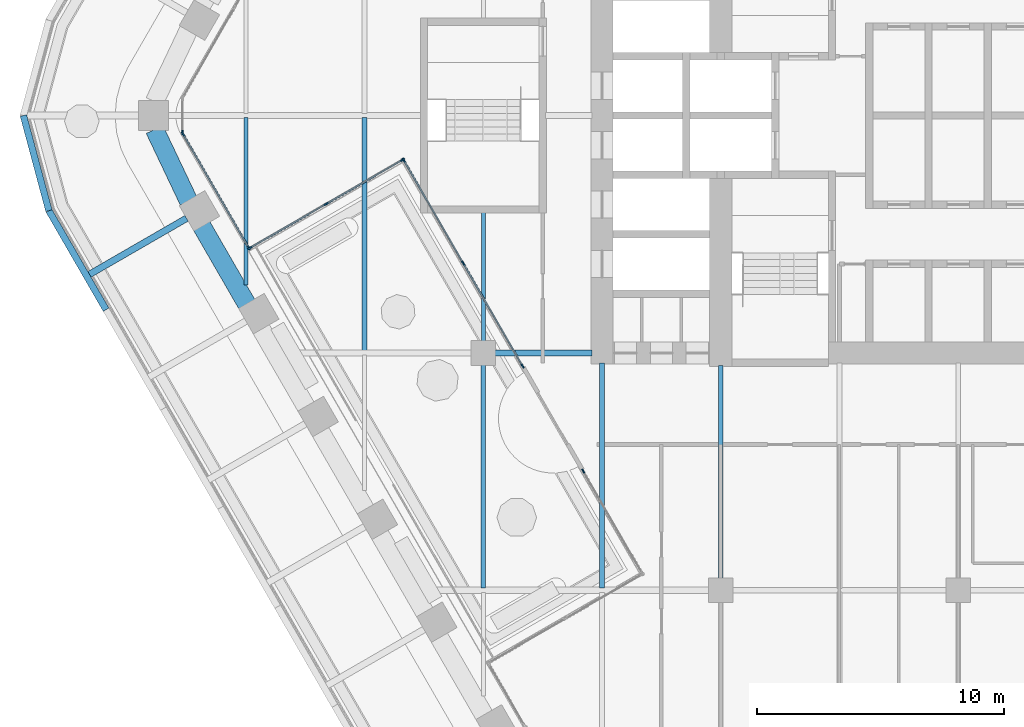
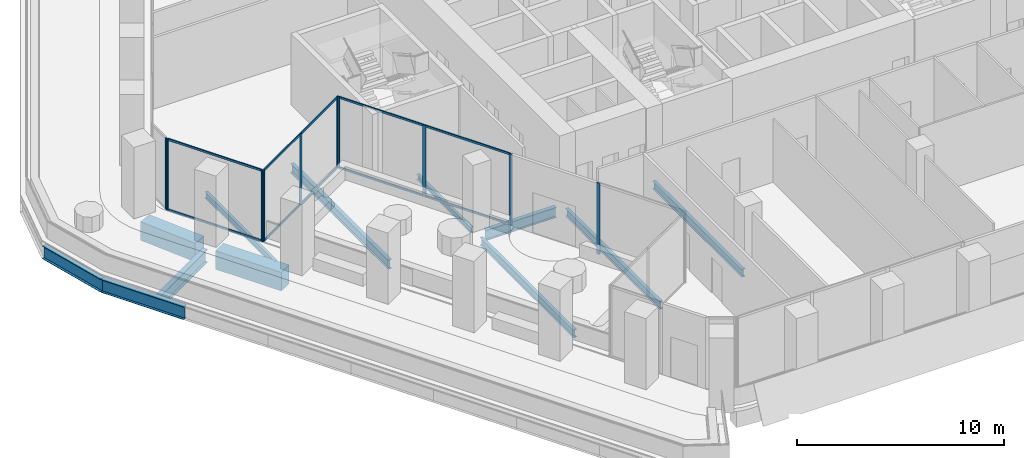
# One storey, part 3 of 27: 20 members, 12 beams, 5 elements without a shape of their own.
"""IFC4 building model written with IfcOpenShell, lengths in metres."""

from ifc_helpers import new_model, si_unit, direction, frame, origin, origin_2d, place, context, subcontext, project, spatial, rectangle, i_section, extrude, material, material_profile, profile_set, type_object, element, aggregate, save


model = new_model("IFC4")

# Units and contexts
model_context = context("Model", 3, precision=1e-05, world=origin(), true_north=direction((0.0, 1.0)))
body_context = subcontext(model_context, "Body", "Model", "MODEL_VIEW")
ifc_project = project(units=[si_unit("LENGTHUNIT", "METRE"), si_unit("AREAUNIT", "SQUARE_METRE"), si_unit("VOLUMEUNIT", "CUBIC_METRE"), si_unit("PLANEANGLEUNIT", "RADIAN"), si_unit("MASSUNIT", "GRAM", prefix="KILO")], contexts=[model_context])

# Site, building, storey
site_placement = place(None, origin())
site = spatial("IfcSite", under=ifc_project, at=site_placement, CompositionType="ELEMENT")
building_placement = place(site_placement, origin())
building = spatial("IfcBuilding", under=site, at=building_placement, Name="Kolab Exchange Tower", CompositionType="ELEMENT")
storey_placement = place(building_placement, frame((0.0, 0.0, 122.89990234375)))
storey = spatial("IfcBuildingStorey", under=building, at=storey_placement, Name="L24", CompositionType="ELEMENT", Elevation=122.89990234375)

# Beams
ifc_material_1 = material(Name="Steel S355", Category="steel")
ifc_material_profile_1 = material_profile(ifc_material_1, i_section(OverallWidth=0.1650390625, OverallDepth=0.31005859375, WebThickness=0.005859375, FlangeThickness=0.009765625, at=origin_2d()), Name="W310X39")
ifc_profile_set_1 = profile_set([ifc_material_profile_1], Name="Steel S355")
beam_type_1 = type_object("IfcBeamType", Name="FLOOR BEAM W310X39", PredefinedType="BEAM", material=ifc_profile_set_1)
beam_1_placement = place(storey_placement, frame((-19.199951171875, -9.139892578125, -0.35498046875), z_axis=(0.0, 1.0, 0.0), x_axis=(-1.0, 0.0, 0.0)))
element("IfcBeam", 1, at=beam_1_placement, inside=storey, type_object=beam_type_1, Name="beam/L24/fr/008", PredefinedType="BEAM", context=body_context, shape_type="SweptSolid", body=[
    extrude(i_section(OverallWidth=0.1650390625, OverallDepth=0.31005859375, WebThickness=0.005859375, FlangeThickness=0.009765625, at=origin_2d()), origin(), (0.0, 0.0, 1.0), 5.22998046875),
])
ifc_material_profile_2 = material_profile(ifc_material_1, i_section(OverallWidth=0.1708984375, OverallDepth=0.35498046875, WebThickness=0.007080078125, FlangeThickness=0.01171875, at=origin_2d()), Name="W360X51")
ifc_profile_set_2 = profile_set([ifc_material_profile_2], Name="Steel S355")
beam_type_2 = type_object("IfcBeamType", Name="FLOOR BEAM W360X51", PredefinedType="BEAM", material=ifc_profile_set_2)
beam_2_placement = place(storey_placement, frame((-28.800048828125, -6.853759765625, -0.37744140625), z_axis=(0.0, 1.0, 0.0), x_axis=(-1.0, 0.0, 0.0)))
element("IfcBeam", 2, at=beam_2_placement, inside=storey, type_object=beam_type_2, Name="beam/L24/fr/000", PredefinedType="BEAM", context=body_context, shape_type="SweptSolid", body=[
    extrude(i_section(OverallWidth=0.1708984375, OverallDepth=0.35498046875, WebThickness=0.007080078125, FlangeThickness=0.01171875, at=origin_2d()), origin(), (0.0, 0.0, 1.0), 6.766845703125),
])
ifc_material_profile_3 = material_profile(ifc_material_1, i_section(OverallWidth=0.18994140625, OverallDepth=0.45703125, WebThickness=0.009033203125, FlangeThickness=0.014404296875, at=origin_2d()), Name="W460X74")
ifc_profile_set_3 = profile_set([ifc_material_profile_3], Name="Steel S355")
beam_type_3 = type_object("IfcBeamType", Name="FLOOR BEAM W460X74", PredefinedType="BEAM", material=ifc_profile_set_3)
beam_3_placement = place(storey_placement, frame((-19.199951171875, -19.1064453125, -0.428466796875), z_axis=(0.0, 1.0, 0.0), x_axis=(-1.0, 0.0, 0.0)))
element("IfcBeam", 3, at=beam_3_placement, inside=storey, type_object=beam_type_3, Name="beam/L24/fr/007", PredefinedType="BEAM", context=body_context, shape_type="SweptSolid", body=[
    extrude(i_section(OverallWidth=0.18994140625, OverallDepth=0.45703125, WebThickness=0.009033203125, FlangeThickness=0.014404296875, at=origin_2d()), origin(), (0.0, 0.0, 1.0), 9.04638671875),
])
beam_4_placement = place(storey_placement, frame((-14.39990234375, -19.1064453125, -0.428466796875), z_axis=(0.0, 1.0, 0.0), x_axis=(-1.0, 0.0, 0.0)))
element("IfcBeam", 4, at=beam_4_placement, inside=storey, type_object=beam_type_3, Name="beam/L24/fr/013", PredefinedType="BEAM", context=body_context, shape_type="SweptSolid", body=[
    extrude(i_section(OverallWidth=0.18994140625, OverallDepth=0.45703125, WebThickness=0.009033203125, FlangeThickness=0.014404296875, at=origin_2d()), origin(), (0.0, 0.0, 1.0), 9.096435546875),
])
beam_5_placement = place(storey_placement, frame((-9.60009765625, -18.739990234375, -0.428466796875), z_axis=(0.0, 1.0, 0.0), x_axis=(-1.0, 0.0, 0.0)))
element("IfcBeam", 5, at=beam_5_placement, inside=storey, type_object=beam_type_3, Name="beam/L24/fr/017", PredefinedType="BEAM", context=body_context, shape_type="SweptSolid", body=[
    extrude(i_section(OverallWidth=0.18994140625, OverallDepth=0.45703125, WebThickness=0.009033203125, FlangeThickness=0.014404296875, at=origin_2d()), origin(), (0.0, 0.0, 1.0), 8.6298828125),
])
ifc_material_profile_4 = material_profile(ifc_material_1, i_section(OverallWidth=0.208984375, OverallDepth=0.532958984375, WebThickness=0.01025390625, FlangeThickness=0.015625, at=origin_2d()), Name="W530X92")
ifc_profile_set_4 = profile_set([ifc_material_profile_4], Name="Steel S355")
beam_type_4 = type_object("IfcBeamType", Name="FLOOR BEAM W530X92", PredefinedType="BEAM", material=ifc_profile_set_4)
beam_6_placement = place(storey_placement, frame((-24.0, -9.52587890625, -0.46630859375), z_axis=(0.0, 1.0, 0.0), x_axis=(-1.0, 0.0, 0.0)))
element("IfcBeam", 6, at=beam_6_placement, inside=storey, type_object=beam_type_4, Name="beam/L24/fr/003", PredefinedType="BEAM", context=body_context, shape_type="SweptSolid", body=[
    extrude(i_section(OverallWidth=0.208984375, OverallDepth=0.532958984375, WebThickness=0.01025390625, FlangeThickness=0.015625, at=origin_2d()), origin(), (0.0, 0.0, 1.0), 9.43896484375),
])
ifc_material_profile_5 = material_profile(ifc_material_1, i_section(OverallWidth=0.22802734375, OverallDepth=0.60791015625, WebThickness=0.01123046875, FlangeThickness=0.017333984375, at=origin_2d()), Name="W610X113")
ifc_profile_set_5 = profile_set([ifc_material_profile_5], Name="Steel S355")
beam_type_5 = type_object("IfcBeamType", Name="FLOOR GIRDER W610X113", PredefinedType="BEAM", material=ifc_profile_set_5)
beam_7_placement = place(storey_placement, frame((-18.739990234375, -9.60009765625, -0.50390625), z_axis=(1.0, 0.0, 0.0), x_axis=(0.0, 1.0, 0.0)))
element("IfcBeam", 7, at=beam_7_placement, inside=storey, type_object=beam_type_5, Name="beam/L24/gd/005", PredefinedType="BEAM", context=body_context, shape_type="SweptSolid", body=[
    extrude(i_section(OverallWidth=0.22802734375, OverallDepth=0.60791015625, WebThickness=0.01123046875, FlangeThickness=0.017333984375, at=origin_2d()), origin(), (0.0, 0.0, 1.0), 3.929931640625),
])
ifc_material_profile_6 = material_profile(ifc_material_1, i_section(OverallWidth=0.26708984375, OverallDepth=0.761962890625, WebThickness=0.014404296875, FlangeThickness=0.021484375, at=origin_2d()), Name="W760X173")
ifc_profile_set_6 = profile_set([ifc_material_profile_6], Name="Steel S355")
beam_type_6 = type_object("IfcBeamType", Name="FLOOR GIRDER W760X173", PredefinedType="BEAM", material=ifc_profile_set_6)
beam_8_placement = place(storey_placement, frame((-31.199951171875, -4.156982421875, -0.640869140625), z_axis=(-0.866043881399, -0.499967994467, 0.0), x_axis=(0.499967994467, -0.866043881399, 0.0)))
element("IfcBeam", 8, at=beam_8_placement, inside=storey, type_object=beam_type_6, Name="beam/L24/ledge/rib-06", PredefinedType="BEAM", context=body_context, shape_type="SweptSolid", body=[
    extrude(i_section(OverallWidth=0.26708984375, OverallDepth=0.761962890625, WebThickness=0.014404296875, FlangeThickness=0.021484375, at=origin_2d()), origin(), (0.0, 0.0, 1.0), 4.532958984375),
])
beam_9_placement = place(storey_placement, frame((-34.454833984375, -7.852294921875, -0.640869140625), z_axis=(-0.500018043048, 0.866014986375, 0.0), x_axis=(-0.866014986375, -0.500018043048, 0.0)))
element("IfcBeam", 9, at=beam_9_placement, inside=storey, type_object=beam_type_6, Name="beam/L24/ledge/edge-07", PredefinedType="BEAM", context=body_context, shape_type="SweptSolid", body=[
    extrude(i_section(OverallWidth=0.26708984375, OverallDepth=0.761962890625, WebThickness=0.014404296875, FlangeThickness=0.021484375, at=origin_2d()), origin(), (0.0, 0.0, 1.0), 4.623291015625),
])
beam_10_placement = place(storey_placement, frame((-36.7666015625, -3.848388671875, -0.640869140625), z_axis=(-0.258779988299, 0.965936290682, 0.0), x_axis=(-0.965936290682, -0.258779988299, 0.0)))
element("IfcBeam", 10, at=beam_10_placement, inside=storey, type_object=beam_type_6, Name="beam/L24/ledge/edge-08", PredefinedType="BEAM", context=body_context, shape_type="SweptSolid", body=[
    extrude(i_section(OverallWidth=0.26708984375, OverallDepth=0.761962890625, WebThickness=0.014404296875, FlangeThickness=0.021484375, at=origin_2d()), origin(), (0.0, 0.0, 1.0), 3.984130859375),
])
ifc_material_2 = material(Name="Concrete C70/85", Category="concrete")
ifc_material_profile_7 = material_profile(ifc_material_2, rectangle(XDim=0.75, YDim=1.10009765625, at=origin_2d()), Name="RC750X1100")
ifc_profile_set_7 = profile_set([ifc_material_profile_7], Name="Concrete C70/85")
beam_type_7 = type_object("IfcBeamType", Name="SPANDREL BEAM 750X1100 C70/85", PredefinedType="BEAM", material=ifc_profile_set_7)
beam_11_placement = place(storey_placement, frame((-28.755126953125, -7.641357421875, -0.75), z_axis=(-0.500013413428, 0.866017659399, 0.0), x_axis=(-0.866017659399, -0.500013413428, 0.0)))
element("IfcBeam", 11, at=beam_11_placement, inside=storey, type_object=beam_type_7, Name="beam/L24/sp/F5-06", PredefinedType="BEAM", context=body_context, shape_type="SweptSolid", body=[
    extrude(rectangle(XDim=0.75, YDim=1.10009765625, at=origin_2d()), origin(), (0.0, 0.0, 1.0), 3.68017578125),
])
beam_12_placement = place(storey_placement, frame((-31.116455078125, -3.4619140625, -0.75), z_axis=(-0.429041292193, 0.903284877319, 0.0), x_axis=(-0.903284877319, -0.429041292193, 0.0)))
element("IfcBeam", 12, at=beam_12_placement, inside=storey, type_object=beam_type_7, Name="beam/L24/sp/F5-07", PredefinedType="BEAM", context=body_context, shape_type="SweptSolid", body=[
    extrude(rectangle(XDim=0.75, YDim=1.10009765625, at=origin_2d()), origin(), (0.0, 0.0, 1.0), 3.208251953125),
])

# Curtain wall, member
ifc_material_3 = material(Name="Aluminium EN AW-6063 T6", Category="aluminium")
curtain_wall_type = type_object("IfcCurtainWallType", Name="UNITISED LOWER MID ZONE CURTAIN WALL", PredefinedType="NOTDEFINED", material=ifc_material_3)
curtain_wall_1_placement = place(storey_placement, origin())
curtain_wall_1 = element("IfcCurtainWall", 13, at=curtain_wall_1_placement, inside=storey, type_object=curtain_wall_type, Name="cw/L24/F5-back-1", PredefinedType="NOTDEFINED")
ifc_material_profile_8 = material_profile(ifc_material_3, rectangle(XDim=0.06005859375, YDim=0.179931640625, at=origin_2d()), Name="RECT 60X180")
ifc_profile_set_8 = profile_set([ifc_material_profile_8], Name="Aluminium EN AW-6063 T6")
member_type_1 = type_object("IfcMemberType", Name="UNITISED LOWER MID ZONE MULLION 60 X 180", PredefinedType="MULLION", material=ifc_profile_set_8)
member_1_placement = place(storey_placement, frame((-15.161376953125, -14.376708984375, 0.0), z_axis=(0.0, 0.0, 1.0), x_axis=(-0.866025406141, -0.499999995919, 0.0)))
member_1 = element("IfcMember", 14, at=member_1_placement, type_object=member_type_1, Name="CW2 mullion 2", PredefinedType="MULLION", context=body_context, shape_type="SweptSolid", body=[
    extrude(rectangle(XDim=0.06005859375, YDim=0.179931640625, at=origin_2d()), origin(), (0.0, 0.0, 1.0), 4.2001953125),
])
aggregate(curtain_wall_1, [member_1])

# Curtain wall, members
curtain_wall_2_placement = place(storey_placement, origin())
curtain_wall_2 = element("IfcCurtainWall", 15, at=curtain_wall_2_placement, inside=storey, type_object=curtain_wall_type, Name="cw/L24/F5-back-2", PredefinedType="NOTDEFINED")
member_2_placement = place(storey_placement, frame((-17.611328125, -10.13330078125, 0.0), z_axis=(0.0, 0.0, 1.0), x_axis=(-0.866025406141, -0.499999995919, 0.0)))
member_2 = element("IfcMember", 16, at=member_2_placement, type_object=member_type_1, Name="CW2 mullion 1", PredefinedType="MULLION", context=body_context, shape_type="SweptSolid", body=[
    extrude(rectangle(XDim=0.06005859375, YDim=0.179931640625, at=origin_2d()), origin(), (0.0, 0.0, 1.0), 4.2001953125),
])
member_3_placement = place(storey_placement, frame((-20.016357421875, -5.9677734375, 0.0), z_axis=(0.0, 0.0, 1.0), x_axis=(-0.866025406141, -0.499999995919, 0.0)))
member_3 = element("IfcMember", 17, at=member_3_placement, type_object=member_type_1, Name="CW2 mullion 2", PredefinedType="MULLION", context=body_context, shape_type="SweptSolid", body=[
    extrude(rectangle(XDim=0.06005859375, YDim=0.179931640625, at=origin_2d()), origin(), (0.0, 0.0, 1.0), 4.2001953125),
])
member_4_placement = place(storey_placement, frame((-22.42138671875, -1.802001953125, 0.0), z_axis=(0.0, 0.0, 1.0), x_axis=(-0.866025406141, -0.499999995919, 0.0)))
member_4 = element("IfcMember", 18, at=member_4_placement, type_object=member_type_1, Name="CW2 mullion 3", PredefinedType="MULLION", context=body_context, shape_type="SweptSolid", body=[
    extrude(rectangle(XDim=0.06005859375, YDim=0.179931640625, at=origin_2d()), origin(), (0.0, 0.0, 1.0), 4.2001953125),
])

curtain_wall_3_placement = place(storey_placement, origin())
curtain_wall_3 = element("IfcCurtainWall", 19, at=curtain_wall_3_placement, inside=storey, type_object=curtain_wall_type, Name="cw/L24/F5-rr-1", PredefinedType="NOTDEFINED")
member_5_placement = place(storey_placement, frame((-22.462158203125, -1.791015625, 0.0), z_axis=(0.0, 0.0, 1.0), x_axis=(0.499999994423, -0.866025407005, 0.0)))
member_5 = element("IfcMember", 20, at=member_5_placement, type_object=member_type_1, Name="CW2 mullion 1", PredefinedType="MULLION", context=body_context, shape_type="SweptSolid", body=[
    extrude(rectangle(XDim=0.06005859375, YDim=0.179931640625, at=origin_2d()), origin(), (0.0, 0.0, 1.0), 4.2001953125),
])
member_6_placement = place(storey_placement, frame((-25.553955078125, -3.576171875, 0.0), z_axis=(0.0, 0.0, 1.0), x_axis=(0.499999994423, -0.866025407005, 0.0)))
member_6 = element("IfcMember", 21, at=member_6_placement, type_object=member_type_1, Name="CW2 mullion 2", PredefinedType="MULLION", context=body_context, shape_type="SweptSolid", body=[
    extrude(rectangle(XDim=0.06005859375, YDim=0.179931640625, at=origin_2d()), origin(), (0.0, 0.0, 1.0), 4.2001953125),
])
member_7_placement = place(storey_placement, frame((-28.645751953125, -5.361083984375, 0.0), z_axis=(0.0, 0.0, 1.0), x_axis=(0.499999994423, -0.866025407005, 0.0)))
member_7 = element("IfcMember", 22, at=member_7_placement, type_object=member_type_1, Name="CW2 mullion 3", PredefinedType="MULLION", context=body_context, shape_type="SweptSolid", body=[
    extrude(rectangle(XDim=0.06005859375, YDim=0.179931640625, at=origin_2d()), origin(), (0.0, 0.0, 1.0), 4.2001953125),
])

curtain_wall_4_placement = place(storey_placement, origin())
curtain_wall_4 = element("IfcCurtainWall", 23, at=curtain_wall_4_placement, inside=storey, type_object=curtain_wall_type, Name="cw/L24/F5-r-1", PredefinedType="NOTDEFINED")
member_8_placement = place(storey_placement, frame((-28.686767578125, -5.35009765625, 0.0), z_axis=(0.0, 0.0, 1.0), x_axis=(-0.866025457506, -0.499999906952, 0.0)))
member_8 = element("IfcMember", 24, at=member_8_placement, type_object=member_type_1, Name="CW2 mullion 1", PredefinedType="MULLION", context=body_context, shape_type="SweptSolid", body=[
    extrude(rectangle(XDim=0.06005859375, YDim=0.179931640625, at=origin_2d()), origin(), (0.0, 0.0, 1.0), 4.2001953125),
])
member_9_placement = place(storey_placement, frame((-31.3505859375, -0.736083984375, 0.0), z_axis=(0.0, 0.0, 1.0), x_axis=(-0.866025457506, -0.499999906952, 0.0)))
member_9 = element("IfcMember", 25, at=member_9_placement, type_object=member_type_1, Name="CW2 mullion 2", PredefinedType="MULLION", context=body_context, shape_type="SweptSolid", body=[
    extrude(rectangle(XDim=0.06005859375, YDim=0.179931640625, at=origin_2d()), origin(), (0.0, 0.0, 1.0), 4.2001953125),
])

# Curtain wall, member
curtain_wall_5_placement = place(storey_placement, origin())
curtain_wall_5 = element("IfcCurtainWall", 26, at=curtain_wall_5_placement, inside=storey, type_object=curtain_wall_type, Name="cw/L24/F5F6-corner", PredefinedType="NOTDEFINED")
member_10_placement = place(storey_placement, frame((-31.36572265625, -0.679931640625, 0.0), z_axis=(0.0, 0.0, 1.0), x_axis=(-1.0, 0.0, 0.0)))
member_10 = element("IfcMember", 27, at=member_10_placement, type_object=member_type_1, Name="CW2 mullion 1", PredefinedType="MULLION", context=body_context, shape_type="SweptSolid", body=[
    extrude(rectangle(XDim=0.06005859375, YDim=0.179931640625, at=origin_2d()), origin(), (0.0, 0.0, 1.0), 4.2001953125),
])
aggregate(curtain_wall_5, [member_10])

# Member
ifc_material_profile_9 = material_profile(ifc_material_3, rectangle(XDim=0.06005859375, YDim=0.1201171875, at=origin_2d()), Name="RECT 60X120")
ifc_profile_set_9 = profile_set([ifc_material_profile_9], Name="Aluminium EN AW-6063 T6")
member_type_2 = type_object("IfcMemberType", Name="UNITISED LOWER MID ZONE TRANSOM 60 X 120", PredefinedType="USERDEFINED", material=ifc_profile_set_9)
member_11_placement = place(storey_placement, frame((-17.626220703125, -10.107177734375, 0.030029296875), z_axis=(-0.500008685663, 0.866020389056, 0.0), x_axis=(-0.866020389056, -0.500008685663, 0.0)))
member_11 = element("IfcMember", 28, at=member_11_placement, type_object=member_type_2, Name="CW2 transom 1.1", ObjectType="TRANSOM", PredefinedType="USERDEFINED", context=body_context, shape_type="SweptSolid", body=[
    extrude(rectangle(XDim=0.06005859375, YDim=0.1201171875, at=origin_2d()), origin(), (0.0, 0.0, 1.0), 4.75),
])

member_12_placement = place(storey_placement, frame((-17.626220703125, -10.107177734375, 4.170166015625), z_axis=(-0.500008685663, 0.866020389056, 0.0), x_axis=(-0.866020389056, -0.500008685663, 0.0)))
member_12 = element("IfcMember", 29, at=member_12_placement, type_object=member_type_2, Name="CW2 transom 1.2", ObjectType="TRANSOM", PredefinedType="USERDEFINED", context=body_context, shape_type="SweptSolid", body=[
    extrude(rectangle(XDim=0.06005859375, YDim=0.1201171875, at=origin_2d()), origin(), (0.0, 0.0, 1.0), 4.75),
])

member_13_placement = place(storey_placement, frame((-20.03125, -5.941650390625, 0.030029296875), z_axis=(-0.500008685663, 0.866020389056, 0.0), x_axis=(-0.866020389056, -0.500008685663, 0.0)))
member_13 = element("IfcMember", 30, at=member_13_placement, type_object=member_type_2, Name="CW2 transom 2.1", ObjectType="TRANSOM", PredefinedType="USERDEFINED", context=body_context, shape_type="SweptSolid", body=[
    extrude(rectangle(XDim=0.06005859375, YDim=0.1201171875, at=origin_2d()), origin(), (0.0, 0.0, 1.0), 4.75),
])

member_14_placement = place(storey_placement, frame((-20.03125, -5.941650390625, 4.170166015625), z_axis=(-0.500008685663, 0.866020389056, 0.0), x_axis=(-0.866020389056, -0.500008685663, 0.0)))
member_14 = element("IfcMember", 31, at=member_14_placement, type_object=member_type_2, Name="CW2 transom 2.2", ObjectType="TRANSOM", PredefinedType="USERDEFINED", context=body_context, shape_type="SweptSolid", body=[
    extrude(rectangle(XDim=0.06005859375, YDim=0.1201171875, at=origin_2d()), origin(), (0.0, 0.0, 1.0), 4.75),
])

aggregate(curtain_wall_2, [member_2, member_3, member_4, member_11, member_12, member_13, member_14])

member_15_placement = place(storey_placement, frame((-22.48828125, -1.80615234375, 0.030029296875), z_axis=(-0.866043119098, -0.499969314921, 0.0), x_axis=(0.499969314921, -0.866043119098, 0.0)))
member_15 = element("IfcMember", 32, at=member_15_placement, type_object=member_type_2, Name="CW2 transom 1.1", ObjectType="TRANSOM", PredefinedType="USERDEFINED", context=body_context, shape_type="SweptSolid", body=[
    extrude(rectangle(XDim=0.06005859375, YDim=0.1201171875, at=origin_2d()), origin(), (0.0, 0.0, 1.0), 3.510009765625),
])

member_16_placement = place(storey_placement, frame((-22.48828125, -1.80615234375, 4.170166015625), z_axis=(-0.866043119098, -0.499969314921, 0.0), x_axis=(0.499969314921, -0.866043119098, 0.0)))
member_16 = element("IfcMember", 33, at=member_16_placement, type_object=member_type_2, Name="CW2 transom 1.2", ObjectType="TRANSOM", PredefinedType="USERDEFINED", context=body_context, shape_type="SweptSolid", body=[
    extrude(rectangle(XDim=0.06005859375, YDim=0.1201171875, at=origin_2d()), origin(), (0.0, 0.0, 1.0), 3.510009765625),
])

member_17_placement = place(storey_placement, frame((-25.580078125, -3.591064453125, 0.030029296875), z_axis=(-0.86599560964, -0.500051601422, 0.0), x_axis=(0.500051601422, -0.86599560964, 0.0)))
member_17 = element("IfcMember", 34, at=member_17_placement, type_object=member_type_2, Name="CW2 transom 2.1", ObjectType="TRANSOM", PredefinedType="USERDEFINED", context=body_context, shape_type="SweptSolid", body=[
    extrude(rectangle(XDim=0.06005859375, YDim=0.1201171875, at=origin_2d()), origin(), (0.0, 0.0, 1.0), 3.510009765625),
])

member_18_placement = place(storey_placement, frame((-25.580078125, -3.591064453125, 4.170166015625), z_axis=(-0.86599560964, -0.500051601422, 0.0), x_axis=(0.500051601422, -0.86599560964, 0.0)))
member_18 = element("IfcMember", 35, at=member_18_placement, type_object=member_type_2, Name="CW2 transom 2.2", ObjectType="TRANSOM", PredefinedType="USERDEFINED", context=body_context, shape_type="SweptSolid", body=[
    extrude(rectangle(XDim=0.06005859375, YDim=0.1201171875, at=origin_2d()), origin(), (0.0, 0.0, 1.0), 3.510009765625),
])

aggregate(curtain_wall_3, [member_5, member_6, member_7, member_15, member_16, member_17, member_18])

member_19_placement = place(storey_placement, frame((-28.70166015625, -5.32421875, 0.030029296875), z_axis=(-0.500001929737, 0.866024289647, 0.0), x_axis=(-0.866024289647, -0.500001929737, 0.0)))
member_19 = element("IfcMember", 36, at=member_19_placement, type_object=member_type_2, Name="CW2 transom 1.1", ObjectType="TRANSOM", PredefinedType="USERDEFINED", context=body_context, shape_type="SweptSolid", body=[
    extrude(rectangle(XDim=0.06005859375, YDim=0.1201171875, at=origin_2d()), origin(), (0.0, 0.0, 1.0), 5.26806640625),
])

member_20_placement = place(storey_placement, frame((-28.70166015625, -5.32421875, 4.170166015625), z_axis=(-0.500001929737, 0.866024289647, 0.0), x_axis=(-0.866024289647, -0.500001929737, 0.0)))
member_20 = element("IfcMember", 37, at=member_20_placement, type_object=member_type_2, Name="CW2 transom 1.2", ObjectType="TRANSOM", PredefinedType="USERDEFINED", context=body_context, shape_type="SweptSolid", body=[
    extrude(rectangle(XDim=0.06005859375, YDim=0.1201171875, at=origin_2d()), origin(), (0.0, 0.0, 1.0), 5.26806640625),
])

aggregate(curtain_wall_4, [member_8, member_9, member_19, member_20])

save(model, "model.ifc")
